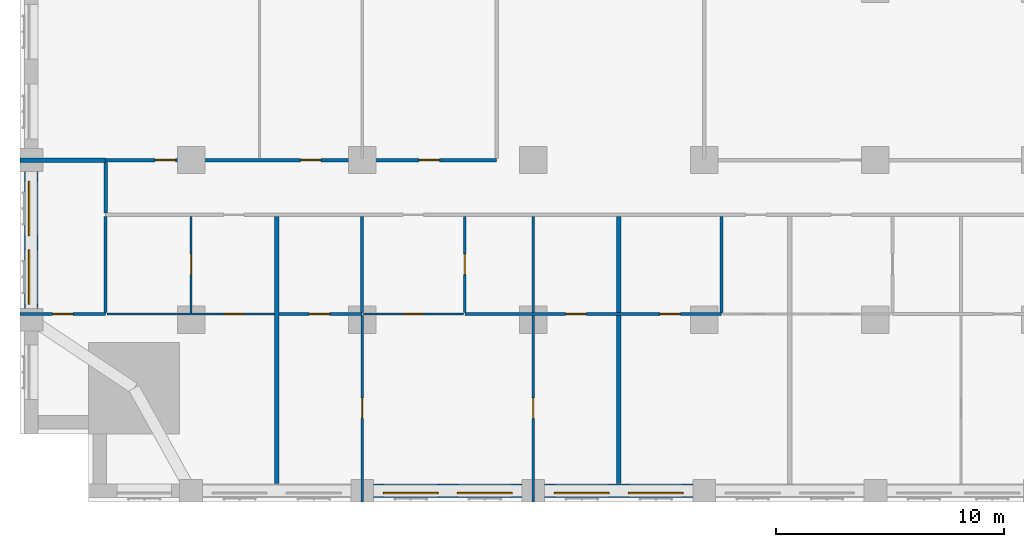
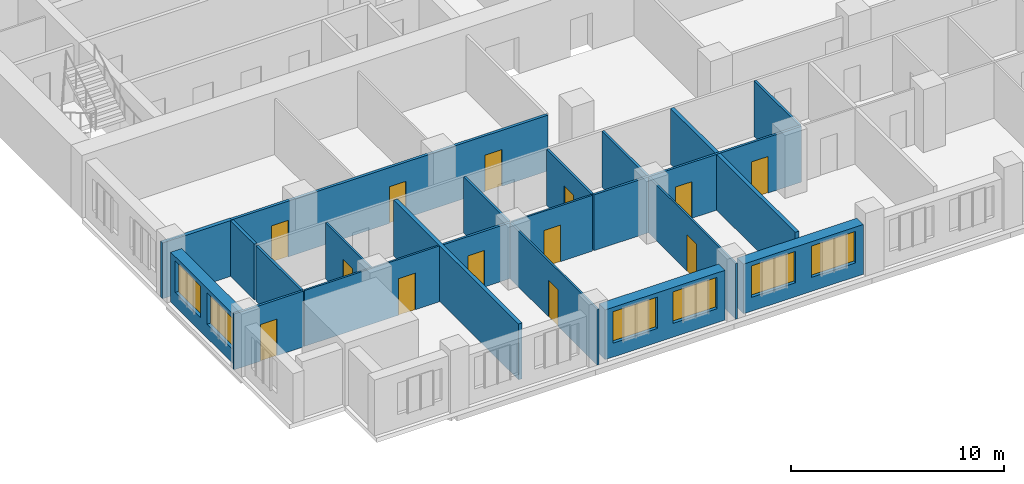
# One storey, part 4 of 14: 21 walls, 13 doors, 6 windows, 19 openings.
"""IFC4 building model written with IfcOpenShell, lengths in metres."""

import ifcopenshell
import ifcopenshell.guid

model = None  # the IFC model being written
_history = None  # IfcOwnerHistory: only IFC2X3 demands one
_inside = {}  # id of a spatial element -> (the spatial element, [elements in it])
_under = {}  # id of a project, library or spatial element -> (it, [spatial elements below it])
_declared = {}  # id of a project -> (the project, [libraries it declares])
_typed = {}  # id of a type object -> (the type object, [elements of that type])
_made_of = {}  # id of a material, layer set ... -> (it, [elements and type objects made of it])


def new_model(schema):
    """Start an empty IFC model of exactly this schema.

    Asked for "IFC4X3", IfcOpenShell would pick the latest addendum, in which some entities
    have other attributes; the version numbers below select the first issue.
    IFC2X3 requires an IfcOwnerHistory on every rooted entity: one is made here for all.
    """
    global model, _history
    if schema == "IFC4X3":
        model = ifcopenshell.file(schema_version=(4, 3, 0, 0))
    else:
        model = ifcopenshell.file(schema=schema)
    _inside.clear()
    _under.clear()
    _declared.clear()
    _typed.clear()
    _made_of.clear()
    _history = None
    if model.schema == "IFC2X3":
        org = make("IfcOrganization", Name="unknown")
        user = make(
            "IfcPersonAndOrganization",
            ThePerson=make("IfcPerson", FamilyName="unknown"),
            TheOrganization=org,
        )
        app = make(
            "IfcApplication",
            ApplicationDeveloper=org,
            Version="unknown",
            ApplicationFullName="unknown",
            ApplicationIdentifier="unknown",
        )
        _history = make(
            "IfcOwnerHistory",
            OwningUser=user,
            OwningApplication=app,
            ChangeAction="ADDED",
            CreationDate=0,
        )
    return model


def make(cls, **values):
    """One entity of the class cls with the attributes given. An attribute that is None is left unset."""
    return model.create_entity(
        cls, **{name: value for name, value in values.items() if value is not None}
    )


def rooted(cls, **values):
    """An entity with a GlobalId (a new one), such as an element, a storey or a relation."""
    return make(cls, GlobalId=ifcopenshell.guid.new(), OwnerHistory=_history, **values)


def si_unit(unit_type, name, prefix=None):
    """IfcSIUnit, for example si_unit("LENGTHUNIT", "METRE", prefix="MILLI")."""
    return make("IfcSIUnit", UnitType=unit_type, Prefix=prefix, Name=name)


def assignment(units):
    """IfcUnitAssignment: the units of a project."""
    return None if units is None else make("IfcUnitAssignment", Units=units)


def point(xyz):
    """IfcCartesianPoint."""
    return None if xyz is None else make("IfcCartesianPoint", Coordinates=xyz)


def direction(xyz):
    """IfcDirection."""
    return None if xyz is None else make("IfcDirection", DirectionRatios=xyz)


def frame(location, z_axis=None, x_axis=None):
    """IfcAxis2Placement3D, a coordinate frame: its origin and axes. An axis left out is left unset."""
    return make(
        "IfcAxis2Placement3D",
        Location=point(location),
        Axis=direction(z_axis),
        RefDirection=direction(x_axis),
    )


def frame_2d(location, x_axis=None):
    """IfcAxis2Placement2D, a coordinate frame in the plane: its origin and x axis."""
    return make(
        "IfcAxis2Placement2D", Location=point(location), RefDirection=direction(x_axis)
    )


def origin():
    """The frame at (0, 0, 0) with its axes left unset."""
    return frame((0.0, 0.0, 0.0))


def place(relative_to, where):
    """IfcLocalPlacement: puts the frame where relative to a parent placement (None: the world)."""
    return make(
        "IfcLocalPlacement", PlacementRelTo=relative_to, RelativePlacement=where
    )


def context(
    kind, dimensions, precision=None, world=None, true_north=None, identifier=None
):
    """IfcGeometricRepresentationContext, for example the 3D "Model" context."""
    return make(
        "IfcGeometricRepresentationContext",
        ContextIdentifier=identifier,
        ContextType=kind,
        CoordinateSpaceDimension=dimensions,
        Precision=precision,
        WorldCoordinateSystem=world,
        TrueNorth=true_north,
    )


def subcontext(parent, identifier, kind, view, scale=None):
    """IfcGeometricRepresentationSubContext, for example "Body" below "Model"."""
    return make(
        "IfcGeometricRepresentationSubContext",
        ContextIdentifier=identifier,
        ContextType=kind,
        ParentContext=parent,
        TargetScale=scale,
        TargetView=view,
    )


def project(units=None, contexts=None):
    """IfcProject with its units and contexts."""
    return rooted(
        "IfcProject",
        Name="project",
        RepresentationContexts=contexts,
        UnitsInContext=assignment(units),
    )


def spatial(cls, under=None, at=None, **own):
    """A site, building, storey or space (cls), placed at a placement, below another one or the project."""
    s = rooted(cls, ObjectPlacement=at, **own)
    if under is not None:
        _under.setdefault(under.id(), (under, []))[1].append(s)
    return s


def profile(cls, at=None, kind="AREA", **sizes):
    """A parametric profile (cls). Its sizes go by their IFC names, for example OverallWidth=200.0."""
    return make(cls, ProfileType=kind, Position=at, **sizes)


def rectangle(**sizes):
    """IfcRectangleProfileDef."""
    return profile("IfcRectangleProfileDef", **sizes)


def extrude(swept, where, along, depth):
    """IfcExtrudedAreaSolid: the profile swept, set in the frame where, extruded along a direction by depth."""
    return make(
        "IfcExtrudedAreaSolid",
        SweptArea=swept,
        Position=where,
        ExtrudedDirection=direction(along),
        Depth=depth,
    )


def shape(context_of_items, identifier, shape_type, items):
    """IfcShapeRepresentation: the items that make up one representation, for example the "Body"."""
    return make(
        "IfcShapeRepresentation",
        ContextOfItems=context_of_items,
        RepresentationIdentifier=identifier,
        RepresentationType=shape_type,
        Items=items,
    )


def material(Name=None, Category=None):
    """IfcMaterial."""
    return make("IfcMaterial", Name=Name, Category=Category)


def layer(
    of_material, thickness, ventilated=None, Name=None, Category=None, Priority=None
):
    """IfcMaterialLayer: one layer of a wall or slab, of a material (None: an air gap)."""
    return make(
        "IfcMaterialLayer",
        Material=of_material,
        LayerThickness=thickness,
        IsVentilated=ventilated,
        Name=Name,
        Category=Category,
        Priority=Priority,
    )


def layer_set(layers, Name=None):
    """IfcMaterialLayerSet."""
    return make("IfcMaterialLayerSet", MaterialLayers=layers, LayerSetName=Name)


def made_of(thing, what):
    """Note that an element or type object is made of a material, layer set ...; save() writes the relation."""
    if what is not None:
        _made_of.setdefault(what.id(), (what, []))[1].append(thing)
    return thing


def type_object(cls, material=None, **own):
    """A type object (cls), such as IfcWallType, which elements share."""
    return made_of(rooted(cls, **own), material)


def element(
    cls,
    number,
    at=None,
    inside=None,
    cuts=None,
    type_object=None,
    material=None,
    context=None,
    identifier="Body",
    shape_type=None,
    held_by="IfcProductDefinitionShape",
    body=None,
    shapes=None,
    **own,
):
    """One element of the class cls, such as IfcWall. Its Tag is "e" and its number.

    at: its placement. inside: the storey or other place that contains it. cuts: it is an
    opening in that element (IfcRelVoidsElement). A single representation is given by context,
    identifier, shape_type and body (its items); several are given by shapes. held_by: the class
    of the entity that holds the representations. save() writes the other relations.
    """
    e = rooted(cls, Tag="e%d" % number, ObjectPlacement=at, **own)
    if body is not None:
        shapes = [shape(context, identifier, shape_type, body)]
    if shapes is not None:
        e.Representation = make(held_by, Representations=shapes)
    if inside is not None:
        _inside.setdefault(inside.id(), (inside, []))[1].append(e)
    if cuts is not None:
        rooted(
            "IfcRelVoidsElement", RelatingBuildingElement=cuts, RelatedOpeningElement=e
        )
    if type_object is not None:
        _typed.setdefault(type_object.id(), (type_object, []))[1].append(e)
    return made_of(e, material)


def fill(opening, filler):
    """IfcRelFillsElement: the door or window that sits in an opening."""
    return rooted(
        "IfcRelFillsElement",
        RelatingOpeningElement=opening,
        RelatedBuildingElement=filler,
    )


def aggregate(whole, parts):
    """IfcRelAggregates: a whole, such as a stair, and the parts it consists of."""
    return rooted("IfcRelAggregates", RelatingObject=whole, RelatedObjects=parts)


def save(model, path):
    """Write the relations noted so far, then the file.

    IfcRelAggregates (storeys below a building ...), IfcRelContainedInSpatialStructure (elements
    in a storey), IfcRelDefinesByType, IfcRelAssociatesMaterial and IfcRelDeclares: one each for
    every whole, place, type object, material and project.
    """
    for whole, parts in _under.values():
        aggregate(whole, parts)
    for where, things in _inside.values():
        rooted(
            "IfcRelContainedInSpatialStructure",
            RelatedElements=things,
            RelatingStructure=where,
        )
    for kind, things in _typed.values():
        rooted("IfcRelDefinesByType", RelatedObjects=things, RelatingType=kind)
    for what, things in _made_of.values():
        rooted("IfcRelAssociatesMaterial", RelatedObjects=things, RelatingMaterial=what)
    for by, libraries in _declared.values():
        rooted("IfcRelDeclares", RelatingContext=by, RelatedDefinitions=libraries)
    model.write(path)


model = new_model("IFC4")

# Units and contexts
model_context = context("Model", 3, precision=1e-05, world=origin(), true_north=direction((0.0, 1.0)))
body_context = subcontext(model_context, "Body", "Model", "MODEL_VIEW")
ifc_project = project(units=[si_unit("LENGTHUNIT", "METRE"), si_unit("AREAUNIT", "SQUARE_METRE"), si_unit("VOLUMEUNIT", "CUBIC_METRE"), si_unit("PLANEANGLEUNIT", "RADIAN"), si_unit("MASSUNIT", "GRAM", prefix="KILO")], contexts=[model_context])

# Site, building, storey
site_placement = place(None, origin())
site = spatial("IfcSite", under=ifc_project, at=site_placement, CompositionType="ELEMENT")
building_placement = place(site_placement, origin())
building = spatial("IfcBuilding", under=site, at=building_placement, Name="Tamorin Gate", CompositionType="ELEMENT")
storey_placement = place(building_placement, frame((0.0, 0.0, 70.0)))
storey = spatial("IfcBuildingStorey", under=building, at=storey_placement, Name="L16", CompositionType="ELEMENT", Elevation=70.0)

# Wall, openings, windows
ifc_material_1 = material(Name="Precast concrete C40/50", Category="concrete")
ifc_layer_1 = layer(ifc_material_1, 0.60009765625)
ifc_layer_set_1 = layer_set([ifc_layer_1], Name="Precast concrete C40/50")
wall_type_1 = type_object("IfcWallType", Name="Board-marked concrete facade panel 600", PredefinedType="SOLIDWALL", material=ifc_layer_set_1)
wall_1_placement = place(storey_placement, frame((45.5, 38.0, 0.0), z_axis=(0.0, 0.0, 1.0), x_axis=(1.0, 0.0, 0.0)))
wall_1 = element("IfcWall", 1, at=wall_1_placement, inside=storey, type_object=wall_type_1, Name="Facade panel", PredefinedType="SOLIDWALL", context=body_context, shape_type="SweptSolid", body=[
    extrude(rectangle(XDim=6.5, YDim=0.60009765625, at=frame_2d((3.25, 0.0))), origin(), (0.0, 0.0, 1.0), 2.85009765625),
])
opening_1_placement = place(wall_1_placement, frame((0.425048828125, 0.0, 0.800048828125)))
opening_1 = element("IfcOpeningElement", 2, at=opening_1_placement, cuts=wall_1, Name="Opening WN1", PredefinedType="OPENING", context=body_context, shape_type="SweptSolid", body=[
    extrude(rectangle(XDim=2.39990234375, YDim=1.800048828125, at=frame_2d((1.199951171875, 0.89990234375))), frame((0.0, 0.31005859375, 0.0), z_axis=(0.0, -1.0, 0.0), x_axis=(1.0, 0.0, 0.0)), (0.0, 0.0, 1.0), 0.6201171875),
])
opening_2_placement = place(wall_1_placement, frame((3.675048828125, 0.0, 0.800048828125)))
opening_2 = element("IfcOpeningElement", 3, at=opening_2_placement, cuts=wall_1, Name="Opening WN1", PredefinedType="OPENING", context=body_context, shape_type="SweptSolid", body=[
    extrude(rectangle(XDim=2.39990234375, YDim=1.800048828125, at=frame_2d((1.199951171875, 0.89990234375))), frame((0.0, 0.31005859375, 0.0), z_axis=(0.0, -1.0, 0.0), x_axis=(1.0, 0.0, 0.0)), (0.0, 0.0, 1.0), 0.6201171875),
])
ifc_material_2 = material(Name="Clear glass in aluminium frame", Category="aluminium")
window_type = type_object("IfcWindowType", Name="Deep-set window 2400x1800", PartitioningType="SINGLE_PANEL", PredefinedType="WINDOW", material=ifc_material_2)
window_1_placement = place(opening_1_placement, origin())
window_1 = element("IfcWindow", 4, at=window_1_placement, inside=storey, type_object=window_type, Name="Deep-set window", OverallHeight=1.800048828125, OverallWidth=2.39990234375, PartitioningType="SINGLE_PANEL", PredefinedType="WINDOW", context=body_context, shape_type="SweptSolid", body=[
    extrude(rectangle(XDim=2.39990234375, YDim=1.800048828125, at=frame_2d((1.199951171875, 0.89990234375))), frame((0.0, -0.070068359375, 0.0), z_axis=(0.0, -1.0, 0.0), x_axis=(1.0, 0.0, 0.0)), (0.0, 0.0, 1.0), 0.06005859375),
])
fill(opening_1, window_1)
window_2_placement = place(opening_2_placement, origin())
window_2 = element("IfcWindow", 5, at=window_2_placement, inside=storey, type_object=window_type, Name="Deep-set window", OverallHeight=1.800048828125, OverallWidth=2.39990234375, PartitioningType="SINGLE_PANEL", PredefinedType="WINDOW", context=body_context, shape_type="SweptSolid", body=[
    extrude(rectangle(XDim=2.39990234375, YDim=1.800048828125, at=frame_2d((1.199951171875, 0.89990234375))), frame((0.0, -0.070068359375, 0.0), z_axis=(0.0, -1.0, 0.0), x_axis=(1.0, 0.0, 0.0)), (0.0, 0.0, 1.0), 0.06005859375),
])
fill(opening_2, window_2)

wall_2_placement = place(storey_placement, frame((53.0, 38.0, 0.0), z_axis=(0.0, 0.0, 1.0), x_axis=(1.0, 0.0, 0.0)))
wall_2 = element("IfcWall", 6, at=wall_2_placement, inside=storey, type_object=wall_type_1, Name="Facade panel", PredefinedType="SOLIDWALL", context=body_context, shape_type="SweptSolid", body=[
    extrude(rectangle(XDim=6.5, YDim=0.60009765625, at=frame_2d((3.25, 0.0))), origin(), (0.0, 0.0, 1.0), 2.85009765625),
])
opening_3_placement = place(wall_2_placement, frame((0.425048828125, 0.0, 0.800048828125)))
opening_3 = element("IfcOpeningElement", 7, at=opening_3_placement, cuts=wall_2, Name="Opening WN1", PredefinedType="OPENING", context=body_context, shape_type="SweptSolid", body=[
    extrude(rectangle(XDim=2.39990234375, YDim=1.800048828125, at=frame_2d((1.199951171875, 0.89990234375))), frame((0.0, 0.31005859375, 0.0), z_axis=(0.0, -1.0, 0.0), x_axis=(1.0, 0.0, 0.0)), (0.0, 0.0, 1.0), 0.6201171875),
])
opening_4_placement = place(wall_2_placement, frame((3.675048828125, 0.0, 0.800048828125)))
opening_4 = element("IfcOpeningElement", 8, at=opening_4_placement, cuts=wall_2, Name="Opening WN1", PredefinedType="OPENING", context=body_context, shape_type="SweptSolid", body=[
    extrude(rectangle(XDim=2.39990234375, YDim=1.800048828125, at=frame_2d((1.199951171875, 0.89990234375))), frame((0.0, 0.31005859375, 0.0), z_axis=(0.0, -1.0, 0.0), x_axis=(1.0, 0.0, 0.0)), (0.0, 0.0, 1.0), 0.6201171875),
])
window_3_placement = place(opening_3_placement, origin())
window_3 = element("IfcWindow", 9, at=window_3_placement, inside=storey, type_object=window_type, Name="Deep-set window", OverallHeight=1.800048828125, OverallWidth=2.39990234375, PartitioningType="SINGLE_PANEL", PredefinedType="WINDOW", context=body_context, shape_type="SweptSolid", body=[
    extrude(rectangle(XDim=2.39990234375, YDim=1.800048828125, at=frame_2d((1.199951171875, 0.89990234375))), frame((0.0, -0.070068359375, 0.0), z_axis=(0.0, -1.0, 0.0), x_axis=(1.0, 0.0, 0.0)), (0.0, 0.0, 1.0), 0.06005859375),
])
fill(opening_3, window_3)
window_4_placement = place(opening_4_placement, origin())
window_4 = element("IfcWindow", 10, at=window_4_placement, inside=storey, type_object=window_type, Name="Deep-set window", OverallHeight=1.800048828125, OverallWidth=2.39990234375, PartitioningType="SINGLE_PANEL", PredefinedType="WINDOW", context=body_context, shape_type="SweptSolid", body=[
    extrude(rectangle(XDim=2.39990234375, YDim=1.800048828125, at=frame_2d((1.199951171875, 0.89990234375))), frame((0.0, -0.070068359375, 0.0), z_axis=(0.0, -1.0, 0.0), x_axis=(1.0, 0.0, 0.0)), (0.0, 0.0, 1.0), 0.06005859375),
])
fill(opening_4, window_4)

wall_3_placement = place(storey_placement, frame((30.5, 52.0, 0.0), z_axis=(0.0, 0.0, 1.0), x_axis=(0.0, -1.0, 0.0)))
wall_3 = element("IfcWall", 11, at=wall_3_placement, inside=storey, type_object=wall_type_1, Name="Facade panel", PredefinedType="SOLIDWALL", context=body_context, shape_type="SweptSolid", body=[
    extrude(rectangle(XDim=6.0, YDim=0.60009765625, at=frame_2d((3.0, 0.0))), origin(), (0.0, 0.0, 1.0), 2.85009765625),
])
opening_5_placement = place(wall_3_placement, frame((3.425048828125, 0.0, 0.800048828125)))
opening_5 = element("IfcOpeningElement", 12, at=opening_5_placement, cuts=wall_3, Name="Opening WN1", PredefinedType="OPENING", context=body_context, shape_type="SweptSolid", body=[
    extrude(rectangle(XDim=2.39990234375, YDim=1.800048828125, at=frame_2d((1.199951171875, 0.89990234375))), frame((0.0, 0.31005859375, 0.0), z_axis=(0.0, -1.0, 0.0), x_axis=(1.0, 0.0, 0.0)), (0.0, 0.0, 1.0), 0.6201171875),
])
opening_6_placement = place(wall_3_placement, frame((0.425048828125, 0.0, 0.800048828125)))
opening_6 = element("IfcOpeningElement", 13, at=opening_6_placement, cuts=wall_3, Name="Opening WN1", PredefinedType="OPENING", context=body_context, shape_type="SweptSolid", body=[
    extrude(rectangle(XDim=2.39990234375, YDim=1.800048828125, at=frame_2d((1.199951171875, 0.89990234375))), frame((0.0, 0.31005859375, 0.0), z_axis=(0.0, -1.0, 0.0), x_axis=(1.0, 0.0, 0.0)), (0.0, 0.0, 1.0), 0.6201171875),
])
window_5_placement = place(opening_5_placement, origin())
window_5 = element("IfcWindow", 14, at=window_5_placement, inside=storey, type_object=window_type, Name="Deep-set window", OverallHeight=1.800048828125, OverallWidth=2.39990234375, PartitioningType="SINGLE_PANEL", PredefinedType="WINDOW", context=body_context, shape_type="SweptSolid", body=[
    extrude(rectangle(XDim=2.39990234375, YDim=1.800048828125, at=frame_2d((1.199951171875, 0.89990234375))), frame((0.0, -0.070068359375, 0.0), z_axis=(0.0, -1.0, 0.0), x_axis=(1.0, 0.0, 0.0)), (0.0, 0.0, 1.0), 0.06005859375),
])
fill(opening_5, window_5)
window_6_placement = place(opening_6_placement, origin())
window_6 = element("IfcWindow", 15, at=window_6_placement, inside=storey, type_object=window_type, Name="Deep-set window", OverallHeight=1.800048828125, OverallWidth=2.39990234375, PartitioningType="SINGLE_PANEL", PredefinedType="WINDOW", context=body_context, shape_type="SweptSolid", body=[
    extrude(rectangle(XDim=2.39990234375, YDim=1.800048828125, at=frame_2d((1.199951171875, 0.89990234375))), frame((0.0, -0.070068359375, 0.0), z_axis=(0.0, -1.0, 0.0), x_axis=(1.0, 0.0, 0.0)), (0.0, 0.0, 1.0), 0.06005859375),
])
fill(opening_6, window_6)

# Wall, openings, doors
ifc_material_3 = material(Name="Gypsum board partition")
ifc_layer_2 = layer(ifc_material_3, 0.14990234375)
ifc_layer_set_2 = layer_set([ifc_layer_2], Name="Corridor wall 150")
wall_type_2 = type_object("IfcWallType", Name="Corridor wall 150", PredefinedType="PARTITIONING", material=ifc_layer_set_2)
wall_4_placement = place(storey_placement, frame((33.75, 52.5, 0.0), z_axis=(0.0, 0.0, 1.0), x_axis=(1.0, 0.0, 0.0)))
wall_4 = element("IfcWall", 16, at=wall_4_placement, inside=storey, type_object=wall_type_2, Name="Corridor wall 150", PredefinedType="PARTITIONING", context=body_context, shape_type="SweptSolid", body=[
    extrude(rectangle(XDim=17.14990234375, YDim=0.14990234375, at=frame_2d((8.574951171875, 0.0))), origin(), (0.0, 0.0, 1.0), 3.199951171875),
])
opening_7_placement = place(wall_4_placement, frame((2.175048828125, 0.0, 0.0)))
opening_7 = element("IfcOpeningElement", 17, at=opening_7_placement, cuts=wall_4, Name="Opening DH3073", PredefinedType="OPENING", context=body_context, shape_type="SweptSolid", body=[
    extrude(rectangle(XDim=0.89990234375, YDim=2.10009765625, at=frame_2d((0.449951171875, 1.050048828125))), frame((0.0, 0.0849609375, 0.0), z_axis=(0.0, -1.0, 0.0), x_axis=(1.0, 0.0, 0.0)), (0.0, 0.0, 1.0), 0.169921875),
])
opening_8_placement = place(wall_4_placement, frame((8.550048828125, 0.0, 0.0)))
opening_8 = element("IfcOpeningElement", 18, at=opening_8_placement, cuts=wall_4, Name="Opening DH3074", PredefinedType="OPENING", context=body_context, shape_type="SweptSolid", body=[
    extrude(rectangle(XDim=0.89990234375, YDim=2.10009765625, at=frame_2d((0.449951171875, 1.050048828125))), frame((0.0, 0.0849609375, 0.0), z_axis=(0.0, -1.0, 0.0), x_axis=(1.0, 0.0, 0.0)), (0.0, 0.0, 1.0), 0.169921875),
])
opening_9_placement = place(wall_4_placement, frame((13.75, 0.0, 0.0)))
opening_9 = element("IfcOpeningElement", 19, at=opening_9_placement, cuts=wall_4, Name="Opening DH3075", PredefinedType="OPENING", context=body_context, shape_type="SweptSolid", body=[
    extrude(rectangle(XDim=0.89990234375, YDim=2.10009765625, at=frame_2d((0.449951171875, 1.050048828125))), frame((0.0, 0.0849609375, 0.0), z_axis=(0.0, -1.0, 0.0), x_axis=(1.0, 0.0, 0.0)), (0.0, 0.0, 1.0), 0.169921875),
])
ifc_material_4 = material(Name="Timber door leaf", Category="wood")
door_type_1 = type_object("IfcDoorType", Name="Door 900 x 2100 FD30S", OperationType="NOTDEFINED", PredefinedType="DOOR", material=ifc_material_4)
door_1_placement = place(opening_7_placement, origin())
door_1 = element("IfcDoor", 20, at=door_1_placement, inside=storey, type_object=door_type_1, Name="Door DH3073", OperationType="SINGLE_SWING_LEFT", OverallHeight=2.10009765625, OverallWidth=0.89990234375, PredefinedType="DOOR", context=body_context, shape_type="SweptSolid", body=[
    extrude(rectangle(XDim=0.89990234375, YDim=2.10009765625, at=frame_2d((0.449951171875, 1.050048828125))), frame((0.0, 0.02490234375, 0.0), z_axis=(0.0, -1.0, 0.0), x_axis=(1.0, 0.0, 0.0)), (0.0, 0.0, 1.0), 0.050048828125),
])
fill(opening_7, door_1)
door_2_placement = place(opening_8_placement, origin())
door_2 = element("IfcDoor", 21, at=door_2_placement, inside=storey, type_object=door_type_1, Name="Door DH3074", OperationType="SINGLE_SWING_LEFT", OverallHeight=2.10009765625, OverallWidth=0.89990234375, PredefinedType="DOOR", context=body_context, shape_type="SweptSolid", body=[
    extrude(rectangle(XDim=0.89990234375, YDim=2.10009765625, at=frame_2d((0.449951171875, 1.050048828125))), frame((0.0, 0.02490234375, 0.0), z_axis=(0.0, -1.0, 0.0), x_axis=(1.0, 0.0, 0.0)), (0.0, 0.0, 1.0), 0.050048828125),
])
fill(opening_8, door_2)
door_3_placement = place(opening_9_placement, origin())
door_3 = element("IfcDoor", 22, at=door_3_placement, inside=storey, type_object=door_type_1, Name="Door DH3075", OperationType="SINGLE_SWING_LEFT", OverallHeight=2.10009765625, OverallWidth=0.89990234375, PredefinedType="DOOR", context=body_context, shape_type="SweptSolid", body=[
    extrude(rectangle(XDim=0.89990234375, YDim=2.10009765625, at=frame_2d((0.449951171875, 1.050048828125))), frame((0.0, 0.02490234375, 0.0), z_axis=(0.0, -1.0, 0.0), x_axis=(1.0, 0.0, 0.0)), (0.0, 0.0, 1.0), 0.050048828125),
])
fill(opening_9, door_3)

# Walls
wall_5_placement = place(storey_placement, frame((33.75, 50.175048828125, 0.0), z_axis=(0.0, 0.0, 1.0), x_axis=(0.0, 1.0, 0.0)))
element("IfcWall", 23, at=wall_5_placement, inside=storey, type_object=wall_type_2, Name="Corridor wall 150", PredefinedType="PARTITIONING", context=body_context, shape_type="SweptSolid", body=[
    extrude(rectangle(XDim=2.224853515625, YDim=0.14990234375, at=frame_2d((1.1123046875, 0.0))), origin(), (0.0, 0.0, 1.0), 3.199951171875),
])
ifc_layer_3 = layer(ifc_material_3, 0.199951171875)
ifc_layer_set_3 = layer_set([ifc_layer_3], Name="Demising wall 200")
wall_type_3 = type_object("IfcWallType", Name="Demising wall 200", PredefinedType="PARTITIONING", material=ifc_layer_set_3)
wall_6_placement = place(storey_placement, frame((30.0, 52.5, 0.0), z_axis=(0.0, 0.0, 1.0), x_axis=(1.0, 0.0, 0.0)))
element("IfcWall", 24, at=wall_6_placement, inside=storey, type_object=wall_type_3, Name="Demising wall 200", PredefinedType="PARTITIONING", context=body_context, shape_type="SweptSolid", body=[
    extrude(rectangle(XDim=3.75, YDim=0.199951171875, at=frame_2d((1.875, 0.0))), origin(), (0.0, 0.0, 1.0), 3.199951171875),
])
for number, where, z_axis, x_axis, name in (
    (25, (41.25, 38.31005859375, 0.0), (0.0, 0.0, 1.0), (0.0, 1.0, 0.0), "Demising wall 200"),
    (26, (56.25, 38.31005859375, 0.0), (0.0, 0.0, 1.0), (0.0, 1.0, 0.0), "Demising wall 200"),
):
    element("IfcWall", number, at=place(storey_placement, frame(where, z_axis=z_axis, x_axis=x_axis)), inside=storey, type_object=wall_type_3, Name=name, PredefinedType="PARTITIONING", context=body_context, shape_type="SweptSolid", body=[
        extrude(rectangle(XDim=11.71484375, YDim=0.199951171875, at=frame_2d((5.857421875, 0.0))), origin(), (0.0, 0.0, 1.0), 3.199951171875),
    ])

# Wall, opening, door
ifc_layer_4 = layer(ifc_material_3, 0.10009765625)
ifc_layer_set_4 = layer_set([ifc_layer_4], Name="Room partition 100")
wall_type_4 = type_object("IfcWallType", Name="Room partition 100", PredefinedType="PARTITIONING", material=ifc_layer_set_4)
wall_7_placement = place(storey_placement, frame((33.8125, 45.75, 0.0), z_axis=(0.0, 0.0, 1.0), x_axis=(1.0, 0.0, 0.0)))
wall_7 = element("IfcWall", 27, at=wall_7_placement, inside=storey, type_object=wall_type_4, Name="Room partition 100", PredefinedType="PARTITIONING", context=body_context, shape_type="SweptSolid", body=[
    extrude(rectangle(XDim=7.33740234375, YDim=0.10009765625, at=frame_2d((3.668701171875, 0.0))), origin(), (0.0, 0.0, 1.0), 3.199951171875),
])
opening_10_placement = place(wall_7_placement, frame((5.112548828125, 0.0, 0.0)))
opening_10 = element("IfcOpeningElement", 28, at=opening_10_placement, cuts=wall_7, Name="Opening DH3004", PredefinedType="OPENING", context=body_context, shape_type="SweptSolid", body=[
    extrude(rectangle(XDim=0.89990234375, YDim=2.10009765625, at=frame_2d((0.449951171875, 1.050048828125))), frame((0.0, 0.06005859375, 0.0), z_axis=(0.0, -1.0, 0.0), x_axis=(1.0, 0.0, 0.0)), (0.0, 0.0, 1.0), 0.1201171875),
])
door_type_2 = type_object("IfcDoorType", Name="Door 900 x 2100", OperationType="NOTDEFINED", PredefinedType="DOOR", material=ifc_material_4)
door_4_placement = place(opening_10_placement, origin())
door_4 = element("IfcDoor", 29, at=door_4_placement, inside=storey, type_object=door_type_2, Name="Door DH3004", OperationType="SINGLE_SWING_LEFT", OverallHeight=2.10009765625, OverallWidth=0.89990234375, PredefinedType="DOOR", context=body_context, shape_type="SweptSolid", body=[
    extrude(rectangle(XDim=0.89990234375, YDim=2.10009765625, at=frame_2d((0.449951171875, 1.050048828125))), frame((0.0, 0.02490234375, 0.0), z_axis=(0.0, -1.0, 0.0), x_axis=(1.0, 0.0, 0.0)), (0.0, 0.0, 1.0), 0.050048828125),
])
fill(opening_10, door_4)

wall_8_placement = place(storey_placement, frame((45.0625, 45.75, 0.0), z_axis=(0.0, 0.0, 1.0), x_axis=(1.0, 0.0, 0.0)))
wall_8 = element("IfcWall", 30, at=wall_8_placement, inside=storey, type_object=wall_type_4, Name="Room partition 100", PredefinedType="PARTITIONING", context=body_context, shape_type="SweptSolid", body=[
    extrude(rectangle(XDim=4.375, YDim=0.10009765625, at=frame_2d((2.1875, 0.0))), origin(), (0.0, 0.0, 1.0), 3.199951171875),
])
opening_11_placement = place(wall_8_placement, frame((1.737548828125, 0.0, 0.0)))
opening_11 = element("IfcOpeningElement", 31, at=opening_11_placement, cuts=wall_8, Name="Opening DH3007", PredefinedType="OPENING", context=body_context, shape_type="SweptSolid", body=[
    extrude(rectangle(XDim=0.89990234375, YDim=2.10009765625, at=frame_2d((0.449951171875, 1.050048828125))), frame((0.0, 0.06005859375, 0.0), z_axis=(0.0, -1.0, 0.0), x_axis=(1.0, 0.0, 0.0)), (0.0, 0.0, 1.0), 0.1201171875),
])
door_5_placement = place(opening_11_placement, origin())
door_5 = element("IfcDoor", 32, at=door_5_placement, inside=storey, type_object=door_type_2, Name="Door DH3007", OperationType="SINGLE_SWING_LEFT", OverallHeight=2.10009765625, OverallWidth=0.89990234375, PredefinedType="DOOR", context=body_context, shape_type="SweptSolid", body=[
    extrude(rectangle(XDim=0.89990234375, YDim=2.10009765625, at=frame_2d((0.449951171875, 1.050048828125))), frame((0.0, 0.02490234375, 0.0), z_axis=(0.0, -1.0, 0.0), x_axis=(1.0, 0.0, 0.0)), (0.0, 0.0, 1.0), 0.050048828125),
])
fill(opening_11, door_5)

wall_9_placement = place(storey_placement, frame((37.5, 45.800048828125, 0.0), z_axis=(0.0, 0.0, 1.0), x_axis=(0.0, 1.0, 0.0)))
wall_9 = element("IfcWall", 33, at=wall_9_placement, inside=storey, type_object=wall_type_4, Name="Room partition 100", PredefinedType="PARTITIONING", context=body_context, shape_type="SweptSolid", body=[
    extrude(rectangle(XDim=4.224853515625, YDim=0.10009765625, at=frame_2d((2.1123046875, 0.0))), origin(), (0.0, 0.0, 1.0), 3.199951171875),
])
opening_12_placement = place(wall_9_placement, frame((1.675048828125, 0.0, 0.0)))
opening_12 = element("IfcOpeningElement", 34, at=opening_12_placement, cuts=wall_9, Name="Opening DH3002", PredefinedType="OPENING", context=body_context, shape_type="SweptSolid", body=[
    extrude(rectangle(XDim=0.89990234375, YDim=2.10009765625, at=frame_2d((0.449951171875, 1.050048828125))), frame((0.0, 0.06005859375, 0.0), z_axis=(0.0, -1.0, 0.0), x_axis=(1.0, 0.0, 0.0)), (0.0, 0.0, 1.0), 0.1201171875),
])
door_6_placement = place(opening_12_placement, origin())
door_6 = element("IfcDoor", 35, at=door_6_placement, inside=storey, type_object=door_type_2, Name="Door DH3002", OperationType="SINGLE_SWING_RIGHT", OverallHeight=2.10009765625, OverallWidth=0.89990234375, PredefinedType="DOOR", context=body_context, shape_type="SweptSolid", body=[
    extrude(rectangle(XDim=0.89990234375, YDim=2.10009765625, at=frame_2d((0.449951171875, 1.050048828125))), frame((0.0, 0.02490234375, 0.0), z_axis=(0.0, -1.0, 0.0), x_axis=(1.0, 0.0, 0.0)), (0.0, 0.0, 1.0), 0.050048828125),
])
fill(opening_12, door_6)

wall_10_placement = place(storey_placement, frame((45.0, 37.5, 0.0), z_axis=(0.0, 0.0, 1.0), x_axis=(0.0, 1.0, 0.0)))
wall_10 = element("IfcWall", 36, at=wall_10_placement, inside=storey, type_object=wall_type_4, Name="Room partition 100", PredefinedType="PARTITIONING", context=body_context, shape_type="SweptSolid", body=[
    extrude(rectangle(XDim=8.1875, YDim=0.10009765625, at=frame_2d((4.09375, 0.0))), origin(), (0.0, 0.0, 1.0), 3.199951171875),
])
opening_13_placement = place(wall_10_placement, frame((3.675048828125, 0.0, 0.0)))
opening_13 = element("IfcOpeningElement", 37, at=opening_13_placement, cuts=wall_10, Name="Opening DH3010", PredefinedType="OPENING", context=body_context, shape_type="SweptSolid", body=[
    extrude(rectangle(XDim=0.89990234375, YDim=2.10009765625, at=frame_2d((0.449951171875, 1.050048828125))), frame((0.0, 0.06005859375, 0.0), z_axis=(0.0, -1.0, 0.0), x_axis=(1.0, 0.0, 0.0)), (0.0, 0.0, 1.0), 0.1201171875),
])
door_7_placement = place(opening_13_placement, origin())
door_7 = element("IfcDoor", 38, at=door_7_placement, inside=storey, type_object=door_type_2, Name="Door DH3010", OperationType="SINGLE_SWING_LEFT", OverallHeight=2.10009765625, OverallWidth=0.89990234375, PredefinedType="DOOR", context=body_context, shape_type="SweptSolid", body=[
    extrude(rectangle(XDim=0.89990234375, YDim=2.10009765625, at=frame_2d((0.449951171875, 1.050048828125))), frame((0.0, 0.02490234375, 0.0), z_axis=(0.0, -1.0, 0.0), x_axis=(1.0, 0.0, 0.0)), (0.0, 0.0, 1.0), 0.050048828125),
])
fill(opening_13, door_7)

wall_11_placement = place(storey_placement, frame((52.5, 37.5, 0.0), z_axis=(0.0, 0.0, 1.0), x_axis=(0.0, 1.0, 0.0)))
wall_11 = element("IfcWall", 39, at=wall_11_placement, inside=storey, type_object=wall_type_4, Name="Room partition 100", PredefinedType="PARTITIONING", context=body_context, shape_type="SweptSolid", body=[
    extrude(rectangle(XDim=8.1875, YDim=0.10009765625, at=frame_2d((4.09375, 0.0))), origin(), (0.0, 0.0, 1.0), 3.199951171875),
])
opening_14_placement = place(wall_11_placement, frame((3.675048828125, 0.0, 0.0)))
opening_14 = element("IfcOpeningElement", 40, at=opening_14_placement, cuts=wall_11, Name="Opening DH3011", PredefinedType="OPENING", context=body_context, shape_type="SweptSolid", body=[
    extrude(rectangle(XDim=0.89990234375, YDim=2.10009765625, at=frame_2d((0.449951171875, 1.050048828125))), frame((0.0, 0.06005859375, 0.0), z_axis=(0.0, -1.0, 0.0), x_axis=(1.0, 0.0, 0.0)), (0.0, 0.0, 1.0), 0.1201171875),
])
door_8_placement = place(opening_14_placement, origin())
door_8 = element("IfcDoor", 41, at=door_8_placement, inside=storey, type_object=door_type_2, Name="Door DH3011", OperationType="SINGLE_SWING_LEFT", OverallHeight=2.10009765625, OverallWidth=0.89990234375, PredefinedType="DOOR", context=body_context, shape_type="SweptSolid", body=[
    extrude(rectangle(XDim=0.89990234375, YDim=2.10009765625, at=frame_2d((0.449951171875, 1.050048828125))), frame((0.0, 0.02490234375, 0.0), z_axis=(0.0, -1.0, 0.0), x_axis=(1.0, 0.0, 0.0)), (0.0, 0.0, 1.0), 0.050048828125),
])
fill(opening_14, door_8)

ifc_layer_5 = layer(ifc_material_3, 0.125)
ifc_layer_set_5 = layer_set([ifc_layer_5], Name="Wet wall 125")
wall_type_5 = type_object("IfcWallType", Name="Wet wall 125", PredefinedType="PARTITIONING", material=ifc_layer_set_5)
wall_12_placement = place(storey_placement, frame((30.0, 45.75, 0.0), z_axis=(0.0, 0.0, 1.0), x_axis=(1.0, 0.0, 0.0)))
wall_12 = element("IfcWall", 42, at=wall_12_placement, inside=storey, type_object=wall_type_5, Name="Wet wall 125", PredefinedType="PARTITIONING", context=body_context, shape_type="SweptSolid", body=[
    extrude(rectangle(XDim=3.75, YDim=0.125, at=frame_2d((1.875, 0.0))), origin(), (0.0, 0.0, 1.0), 3.199951171875),
])
opening_15_placement = place(wall_12_placement, frame((1.425048828125, 0.0, 0.0)))
opening_15 = element("IfcOpeningElement", 43, at=opening_15_placement, cuts=wall_12, Name="Opening DH3001", PredefinedType="OPENING", context=body_context, shape_type="SweptSolid", body=[
    extrude(rectangle(XDim=0.89990234375, YDim=2.10009765625, at=frame_2d((0.449951171875, 1.050048828125))), frame((0.0, 0.072509765625, 0.0), z_axis=(0.0, -1.0, 0.0), x_axis=(1.0, 0.0, 0.0)), (0.0, 0.0, 1.0), 0.14501953125),
])
door_9_placement = place(opening_15_placement, origin())
door_9 = element("IfcDoor", 44, at=door_9_placement, inside=storey, type_object=door_type_2, Name="Door DH3001", OperationType="SINGLE_SWING_LEFT", OverallHeight=2.10009765625, OverallWidth=0.89990234375, PredefinedType="DOOR", context=body_context, shape_type="SweptSolid", body=[
    extrude(rectangle(XDim=0.89990234375, YDim=2.10009765625, at=frame_2d((0.449951171875, 1.050048828125))), frame((0.0, 0.02490234375, 0.0), z_axis=(0.0, -1.0, 0.0), x_axis=(1.0, 0.0, 0.0)), (0.0, 0.0, 1.0), 0.050048828125),
])
fill(opening_15, door_9)

wall_13_placement = place(storey_placement, frame((41.35009765625, 45.75, 0.0), z_axis=(0.0, 0.0, 1.0), x_axis=(1.0, 0.0, 0.0)))
wall_13 = element("IfcWall", 45, at=wall_13_placement, inside=storey, type_object=wall_type_5, Name="Wet wall 125", PredefinedType="PARTITIONING", context=body_context, shape_type="SweptSolid", body=[
    extrude(rectangle(XDim=3.64990234375, YDim=0.125, at=frame_2d((1.824951171875, 0.0))), origin(), (0.0, 0.0, 1.0), 3.199951171875),
])
opening_16_placement = place(wall_13_placement, frame((1.324951171875, 0.0, 0.0)))
opening_16 = element("IfcOpeningElement", 46, at=opening_16_placement, cuts=wall_13, Name="Opening DH3005", PredefinedType="OPENING", context=body_context, shape_type="SweptSolid", body=[
    extrude(rectangle(XDim=0.89990234375, YDim=2.10009765625, at=frame_2d((0.449951171875, 1.050048828125))), frame((0.0, 0.072509765625, 0.0), z_axis=(0.0, -1.0, 0.0), x_axis=(1.0, 0.0, 0.0)), (0.0, 0.0, 1.0), 0.14501953125),
])
door_10_placement = place(opening_16_placement, origin())
door_10 = element("IfcDoor", 47, at=door_10_placement, inside=storey, type_object=door_type_2, Name="Door DH3005", OperationType="SINGLE_SWING_LEFT", OverallHeight=2.10009765625, OverallWidth=0.89990234375, PredefinedType="DOOR", context=body_context, shape_type="SweptSolid", body=[
    extrude(rectangle(XDim=0.89990234375, YDim=2.10009765625, at=frame_2d((0.449951171875, 1.050048828125))), frame((0.0, 0.02490234375, 0.0), z_axis=(0.0, -1.0, 0.0), x_axis=(1.0, 0.0, 0.0)), (0.0, 0.0, 1.0), 0.050048828125),
])
fill(opening_16, door_10)

# Wall, openings, doors
wall_14_placement = place(storey_placement, frame((49.5, 45.75, 0.0), z_axis=(0.0, 0.0, 1.0), x_axis=(1.0, 0.0, 0.0)))
wall_14 = element("IfcWall", 48, at=wall_14_placement, inside=storey, type_object=wall_type_5, Name="Wet wall 125", PredefinedType="PARTITIONING", context=body_context, shape_type="SweptSolid", body=[
    extrude(rectangle(XDim=11.25, YDim=0.125, at=frame_2d((5.625, 0.0))), origin(), (0.0, 0.0, 1.0), 3.199951171875),
])
opening_17_placement = place(wall_14_placement, frame((4.425048828125, 0.0, 0.0)))
opening_17 = element("IfcOpeningElement", 49, at=opening_17_placement, cuts=wall_14, Name="Opening DH3009", PredefinedType="OPENING", context=body_context, shape_type="SweptSolid", body=[
    extrude(rectangle(XDim=0.89990234375, YDim=2.10009765625, at=frame_2d((0.449951171875, 1.050048828125))), frame((0.0, 0.072509765625, 0.0), z_axis=(0.0, -1.0, 0.0), x_axis=(1.0, 0.0, 0.0)), (0.0, 0.0, 1.0), 0.14501953125),
])
opening_18_placement = place(wall_14_placement, frame((8.550048828125, 0.0, 0.0)))
opening_18 = element("IfcOpeningElement", 50, at=opening_18_placement, cuts=wall_14, Name="Opening DH3012", PredefinedType="OPENING", context=body_context, shape_type="SweptSolid", body=[
    extrude(rectangle(XDim=0.89990234375, YDim=2.10009765625, at=frame_2d((0.449951171875, 1.050048828125))), frame((0.0, 0.072509765625, 0.0), z_axis=(0.0, -1.0, 0.0), x_axis=(1.0, 0.0, 0.0)), (0.0, 0.0, 1.0), 0.14501953125),
])
door_11_placement = place(opening_17_placement, origin())
door_11 = element("IfcDoor", 51, at=door_11_placement, inside=storey, type_object=door_type_2, Name="Door DH3009", OperationType="SINGLE_SWING_LEFT", OverallHeight=2.10009765625, OverallWidth=0.89990234375, PredefinedType="DOOR", context=body_context, shape_type="SweptSolid", body=[
    extrude(rectangle(XDim=0.89990234375, YDim=2.10009765625, at=frame_2d((0.449951171875, 1.050048828125))), frame((0.0, 0.02490234375, 0.0), z_axis=(0.0, -1.0, 0.0), x_axis=(1.0, 0.0, 0.0)), (0.0, 0.0, 1.0), 0.050048828125),
])
fill(opening_17, door_11)
door_12_placement = place(opening_18_placement, origin())
door_12 = element("IfcDoor", 52, at=door_12_placement, inside=storey, type_object=door_type_2, Name="Door DH3012", OperationType="SINGLE_SWING_LEFT", OverallHeight=2.10009765625, OverallWidth=0.89990234375, PredefinedType="DOOR", context=body_context, shape_type="SweptSolid", body=[
    extrude(rectangle(XDim=0.89990234375, YDim=2.10009765625, at=frame_2d((0.449951171875, 1.050048828125))), frame((0.0, 0.02490234375, 0.0), z_axis=(0.0, -1.0, 0.0), x_axis=(1.0, 0.0, 0.0)), (0.0, 0.0, 1.0), 0.050048828125),
])
fill(opening_18, door_12)

# Walls
for number, where, z_axis, x_axis, name in (
    (53, (33.75, 45.8125, 0.0), (0.0, 0.0, 1.0), (0.0, 1.0, 0.0), "Wet wall 125"),
    (54, (45.0, 45.8125, 0.0), (0.0, 0.0, 1.0), (0.0, 1.0, 0.0), "Wet wall 125"),
):
    element("IfcWall", number, at=place(storey_placement, frame(where, z_axis=z_axis, x_axis=x_axis)), inside=storey, type_object=wall_type_5, Name=name, PredefinedType="PARTITIONING", context=body_context, shape_type="SweptSolid", body=[
        extrude(rectangle(XDim=4.21240234375, YDim=0.125, at=frame_2d((2.106201171875, 0.0))), origin(), (0.0, 0.0, 1.0), 3.199951171875),
    ])

# Wall, opening, door
wall_15_placement = place(storey_placement, frame((49.5, 45.8125, 0.0), z_axis=(0.0, 0.0, 1.0), x_axis=(0.0, 1.0, 0.0)))
wall_15 = element("IfcWall", 55, at=wall_15_placement, inside=storey, type_object=wall_type_5, Name="Wet wall 125", PredefinedType="PARTITIONING", context=body_context, shape_type="SweptSolid", body=[
    extrude(rectangle(XDim=4.21240234375, YDim=0.125, at=frame_2d((2.106201171875, 0.0))), origin(), (0.0, 0.0, 1.0), 3.199951171875),
])
opening_19_placement = place(wall_15_placement, frame((1.66259765625, 0.0, 0.0)))
opening_19 = element("IfcOpeningElement", 56, at=opening_19_placement, cuts=wall_15, Name="Opening DH3008", PredefinedType="OPENING", context=body_context, shape_type="SweptSolid", body=[
    extrude(rectangle(XDim=0.89990234375, YDim=2.10009765625, at=frame_2d((0.449951171875, 1.050048828125))), frame((0.0, 0.072509765625, 0.0), z_axis=(0.0, -1.0, 0.0), x_axis=(1.0, 0.0, 0.0)), (0.0, 0.0, 1.0), 0.14501953125),
])
door_13_placement = place(opening_19_placement, origin())
door_13 = element("IfcDoor", 57, at=door_13_placement, inside=storey, type_object=door_type_2, Name="Door DH3008", OperationType="SINGLE_SWING_LEFT", OverallHeight=2.10009765625, OverallWidth=0.89990234375, PredefinedType="DOOR", context=body_context, shape_type="SweptSolid", body=[
    extrude(rectangle(XDim=0.89990234375, YDim=2.10009765625, at=frame_2d((0.449951171875, 1.050048828125))), frame((0.0, 0.02490234375, 0.0), z_axis=(0.0, -1.0, 0.0), x_axis=(1.0, 0.0, 0.0)), (0.0, 0.0, 1.0), 0.050048828125),
])
fill(opening_19, door_13)

# Walls
for number, where, z_axis, x_axis, name in (
    (58, (52.5, 45.8125, 0.0), (0.0, 0.0, 1.0), (0.0, 1.0, 0.0), "Wet wall 125"),
    (59, (60.75, 45.8125, 0.0), (0.0, 0.0, 1.0), (0.0, 1.0, 0.0), "Wet wall 125"),
):
    element("IfcWall", number, at=place(storey_placement, frame(where, z_axis=z_axis, x_axis=x_axis)), inside=storey, type_object=wall_type_5, Name=name, PredefinedType="PARTITIONING", context=body_context, shape_type="SweptSolid", body=[
        extrude(rectangle(XDim=4.21240234375, YDim=0.125, at=frame_2d((2.106201171875, 0.0))), origin(), (0.0, 0.0, 1.0), 3.199951171875),
    ])

save(model, "model.ifc")
